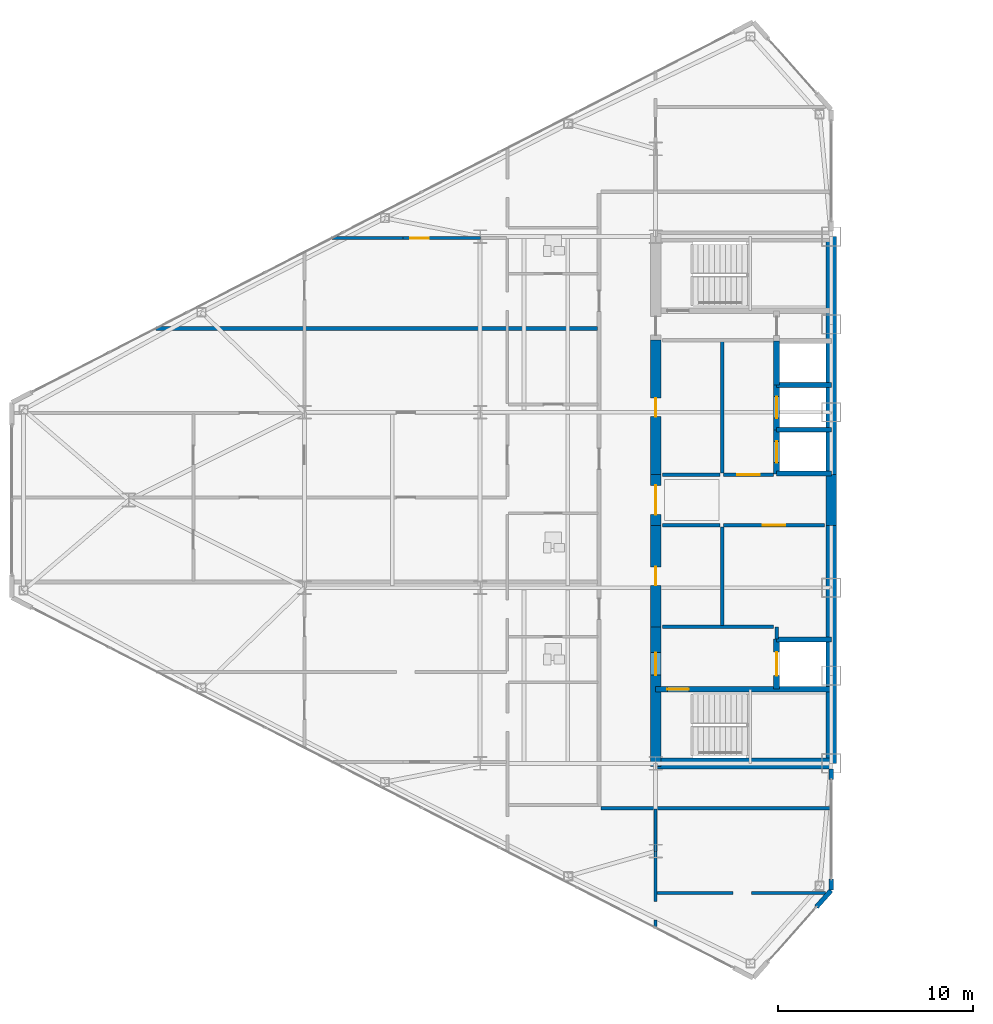
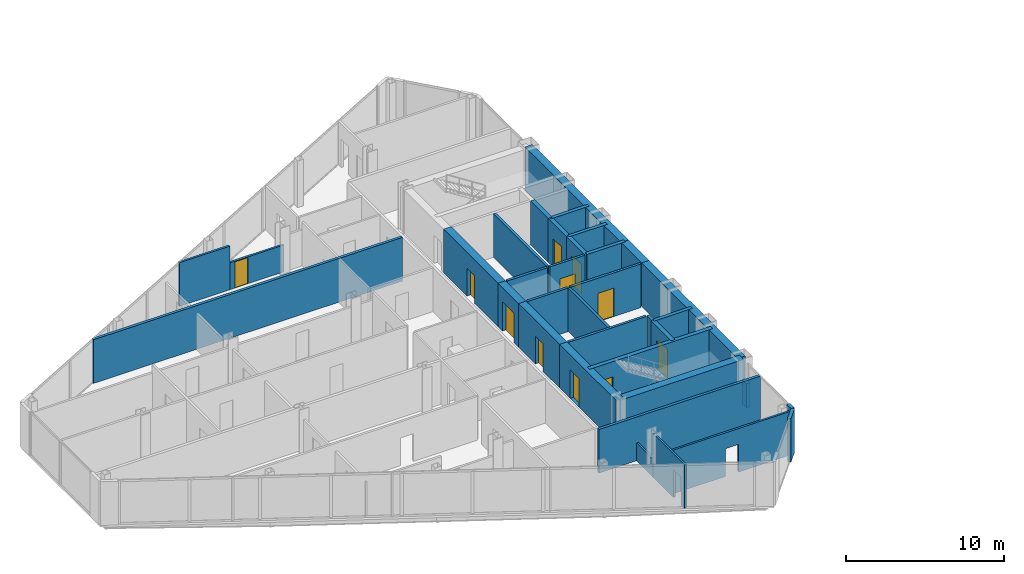
# One storey, part 16 of 23: 35 walls, 11 doors, 13 openings.
"""IFC4 building model written with IfcOpenShell, lengths in metres."""

import ifcopenshell
import ifcopenshell.guid

model = None  # the IFC model being written
_history = None  # IfcOwnerHistory: only IFC2X3 demands one
_inside = {}  # id of a spatial element -> (the spatial element, [elements in it])
_under = {}  # id of a project, library or spatial element -> (it, [spatial elements below it])
_declared = {}  # id of a project -> (the project, [libraries it declares])
_typed = {}  # id of a type object -> (the type object, [elements of that type])
_made_of = {}  # id of a material, layer set ... -> (it, [elements and type objects made of it])


def new_model(schema):
    """Start an empty IFC model of exactly this schema.

    Asked for "IFC4X3", IfcOpenShell would pick the latest addendum, in which some entities
    have other attributes; the version numbers below select the first issue.
    IFC2X3 requires an IfcOwnerHistory on every rooted entity: one is made here for all.
    """
    global model, _history
    if schema == "IFC4X3":
        model = ifcopenshell.file(schema_version=(4, 3, 0, 0))
    else:
        model = ifcopenshell.file(schema=schema)
    _inside.clear()
    _under.clear()
    _declared.clear()
    _typed.clear()
    _made_of.clear()
    _history = None
    if model.schema == "IFC2X3":
        org = make("IfcOrganization", Name="unknown")
        user = make(
            "IfcPersonAndOrganization",
            ThePerson=make("IfcPerson", FamilyName="unknown"),
            TheOrganization=org,
        )
        app = make(
            "IfcApplication",
            ApplicationDeveloper=org,
            Version="unknown",
            ApplicationFullName="unknown",
            ApplicationIdentifier="unknown",
        )
        _history = make(
            "IfcOwnerHistory",
            OwningUser=user,
            OwningApplication=app,
            ChangeAction="ADDED",
            CreationDate=0,
        )
    return model


def make(cls, **values):
    """One entity of the class cls with the attributes given. An attribute that is None is left unset."""
    return model.create_entity(
        cls, **{name: value for name, value in values.items() if value is not None}
    )


def rooted(cls, **values):
    """An entity with a GlobalId (a new one), such as an element, a storey or a relation."""
    return make(cls, GlobalId=ifcopenshell.guid.new(), OwnerHistory=_history, **values)


def si_unit(unit_type, name, prefix=None):
    """IfcSIUnit, for example si_unit("LENGTHUNIT", "METRE", prefix="MILLI")."""
    return make("IfcSIUnit", UnitType=unit_type, Prefix=prefix, Name=name)


def assignment(units):
    """IfcUnitAssignment: the units of a project."""
    return None if units is None else make("IfcUnitAssignment", Units=units)


def point(xyz):
    """IfcCartesianPoint."""
    return None if xyz is None else make("IfcCartesianPoint", Coordinates=xyz)


def direction(xyz):
    """IfcDirection."""
    return None if xyz is None else make("IfcDirection", DirectionRatios=xyz)


def frame(location, z_axis=None, x_axis=None):
    """IfcAxis2Placement3D, a coordinate frame: its origin and axes. An axis left out is left unset."""
    return make(
        "IfcAxis2Placement3D",
        Location=point(location),
        Axis=direction(z_axis),
        RefDirection=direction(x_axis),
    )


def frame_2d(location, x_axis=None):
    """IfcAxis2Placement2D, a coordinate frame in the plane: its origin and x axis."""
    return make(
        "IfcAxis2Placement2D", Location=point(location), RefDirection=direction(x_axis)
    )


def origin():
    """The frame at (0, 0, 0) with its axes left unset."""
    return frame((0.0, 0.0, 0.0))


def place(relative_to, where):
    """IfcLocalPlacement: puts the frame where relative to a parent placement (None: the world)."""
    return make(
        "IfcLocalPlacement", PlacementRelTo=relative_to, RelativePlacement=where
    )


def context(
    kind, dimensions, precision=None, world=None, true_north=None, identifier=None
):
    """IfcGeometricRepresentationContext, for example the 3D "Model" context."""
    return make(
        "IfcGeometricRepresentationContext",
        ContextIdentifier=identifier,
        ContextType=kind,
        CoordinateSpaceDimension=dimensions,
        Precision=precision,
        WorldCoordinateSystem=world,
        TrueNorth=true_north,
    )


def subcontext(parent, identifier, kind, view, scale=None):
    """IfcGeometricRepresentationSubContext, for example "Body" below "Model"."""
    return make(
        "IfcGeometricRepresentationSubContext",
        ContextIdentifier=identifier,
        ContextType=kind,
        ParentContext=parent,
        TargetScale=scale,
        TargetView=view,
    )


def project(units=None, contexts=None):
    """IfcProject with its units and contexts."""
    return rooted(
        "IfcProject",
        Name="project",
        RepresentationContexts=contexts,
        UnitsInContext=assignment(units),
    )


def spatial(cls, under=None, at=None, **own):
    """A site, building, storey or space (cls), placed at a placement, below another one or the project."""
    s = rooted(cls, ObjectPlacement=at, **own)
    if under is not None:
        _under.setdefault(under.id(), (under, []))[1].append(s)
    return s


def profile(cls, at=None, kind="AREA", **sizes):
    """A parametric profile (cls). Its sizes go by their IFC names, for example OverallWidth=200.0."""
    return make(cls, ProfileType=kind, Position=at, **sizes)


def rectangle(**sizes):
    """IfcRectangleProfileDef."""
    return profile("IfcRectangleProfileDef", **sizes)


def extrude(swept, where, along, depth):
    """IfcExtrudedAreaSolid: the profile swept, set in the frame where, extruded along a direction by depth."""
    return make(
        "IfcExtrudedAreaSolid",
        SweptArea=swept,
        Position=where,
        ExtrudedDirection=direction(along),
        Depth=depth,
    )


def shape(context_of_items, identifier, shape_type, items):
    """IfcShapeRepresentation: the items that make up one representation, for example the "Body"."""
    return make(
        "IfcShapeRepresentation",
        ContextOfItems=context_of_items,
        RepresentationIdentifier=identifier,
        RepresentationType=shape_type,
        Items=items,
    )


def source(mapping_origin, context_of_items, identifier, shape_type, items):
    """IfcRepresentationMap: a shape defined once, which mapped items show again and again."""
    return make(
        "IfcRepresentationMap",
        MappingOrigin=mapping_origin,
        MappedRepresentation=shape(context_of_items, identifier, shape_type, items),
    )


def transform(
    local_origin,
    x_axis=None,
    y_axis=None,
    z_axis=None,
    scale=None,
    scale2=None,
    scale3=None,
    uniform=True,
):
    """IfcCartesianTransformationOperator3D, or its non-uniform kind. x_axis, y_axis, z_axis: its Axis1, 2, 3."""
    if uniform:
        return make(
            "IfcCartesianTransformationOperator3D",
            Axis1=direction(x_axis),
            Axis2=direction(y_axis),
            LocalOrigin=point(local_origin),
            Scale=scale,
            Axis3=direction(z_axis),
        )
    return make(
        "IfcCartesianTransformationOperator3DnonUniform",
        Axis1=direction(x_axis),
        Axis2=direction(y_axis),
        LocalOrigin=point(local_origin),
        Scale=scale,
        Axis3=direction(z_axis),
        Scale2=scale2,
        Scale3=scale3,
    )


def mapped(mapping_source, mapping_target):
    """IfcMappedItem: shows the shape of a source again, moved by a transform."""
    return make(
        "IfcMappedItem", MappingSource=mapping_source, MappingTarget=mapping_target
    )


def material(Name=None, Category=None):
    """IfcMaterial."""
    return make("IfcMaterial", Name=Name, Category=Category)


def layer(
    of_material, thickness, ventilated=None, Name=None, Category=None, Priority=None
):
    """IfcMaterialLayer: one layer of a wall or slab, of a material (None: an air gap)."""
    return make(
        "IfcMaterialLayer",
        Material=of_material,
        LayerThickness=thickness,
        IsVentilated=ventilated,
        Name=Name,
        Category=Category,
        Priority=Priority,
    )


def layer_set(layers, Name=None):
    """IfcMaterialLayerSet."""
    return make("IfcMaterialLayerSet", MaterialLayers=layers, LayerSetName=Name)


def made_of(thing, what):
    """Note that an element or type object is made of a material, layer set ...; save() writes the relation."""
    if what is not None:
        _made_of.setdefault(what.id(), (what, []))[1].append(thing)
    return thing


def type_object(cls, material=None, **own):
    """A type object (cls), such as IfcWallType, which elements share."""
    return made_of(rooted(cls, **own), material)


def type_shapes(of_type, sources):
    """Give a type object the sources (RepresentationMaps) that its elements show as mapped items."""
    of_type.RepresentationMaps = sources


def element(
    cls,
    number,
    at=None,
    inside=None,
    cuts=None,
    type_object=None,
    material=None,
    context=None,
    identifier="Body",
    shape_type=None,
    held_by="IfcProductDefinitionShape",
    body=None,
    shapes=None,
    **own,
):
    """One element of the class cls, such as IfcWall. Its Tag is "e" and its number.

    at: its placement. inside: the storey or other place that contains it. cuts: it is an
    opening in that element (IfcRelVoidsElement). A single representation is given by context,
    identifier, shape_type and body (its items); several are given by shapes. held_by: the class
    of the entity that holds the representations. save() writes the other relations.
    """
    e = rooted(cls, Tag="e%d" % number, ObjectPlacement=at, **own)
    if body is not None:
        shapes = [shape(context, identifier, shape_type, body)]
    if shapes is not None:
        e.Representation = make(held_by, Representations=shapes)
    if inside is not None:
        _inside.setdefault(inside.id(), (inside, []))[1].append(e)
    if cuts is not None:
        rooted(
            "IfcRelVoidsElement", RelatingBuildingElement=cuts, RelatedOpeningElement=e
        )
    if type_object is not None:
        _typed.setdefault(type_object.id(), (type_object, []))[1].append(e)
    return made_of(e, material)


def fill(opening, filler):
    """IfcRelFillsElement: the door or window that sits in an opening."""
    return rooted(
        "IfcRelFillsElement",
        RelatingOpeningElement=opening,
        RelatedBuildingElement=filler,
    )


def aggregate(whole, parts):
    """IfcRelAggregates: a whole, such as a stair, and the parts it consists of."""
    return rooted("IfcRelAggregates", RelatingObject=whole, RelatedObjects=parts)


def save(model, path):
    """Write the relations noted so far, then the file.

    IfcRelAggregates (storeys below a building ...), IfcRelContainedInSpatialStructure (elements
    in a storey), IfcRelDefinesByType, IfcRelAssociatesMaterial and IfcRelDeclares: one each for
    every whole, place, type object, material and project.
    """
    for whole, parts in _under.values():
        aggregate(whole, parts)
    for where, things in _inside.values():
        rooted(
            "IfcRelContainedInSpatialStructure",
            RelatedElements=things,
            RelatingStructure=where,
        )
    for kind, things in _typed.values():
        rooted("IfcRelDefinesByType", RelatedObjects=things, RelatingType=kind)
    for what, things in _made_of.values():
        rooted("IfcRelAssociatesMaterial", RelatedObjects=things, RelatingMaterial=what)
    for by, libraries in _declared.values():
        rooted("IfcRelDeclares", RelatingContext=by, RelatedDefinitions=libraries)
    model.write(path)


model = new_model("IFC4")

# Units and contexts
model_context = context("Model", 3, precision=1e-05, world=origin(), true_north=direction((0.0, 1.0)))
body_context = subcontext(model_context, "Body", "Model", "MODEL_VIEW")
ifc_project = project(units=[si_unit("LENGTHUNIT", "METRE"), si_unit("AREAUNIT", "SQUARE_METRE"), si_unit("VOLUMEUNIT", "CUBIC_METRE"), si_unit("PLANEANGLEUNIT", "RADIAN"), si_unit("MASSUNIT", "GRAM", prefix="KILO")], contexts=[model_context])

# Site, building, storey
site_placement = place(None, origin())
site = spatial("IfcSite", under=ifc_project, at=site_placement, CompositionType="ELEMENT")
building_placement = place(site_placement, origin())
building = spatial("IfcBuilding", under=site, at=building_placement, Name="Seokmaru Belvedere", CompositionType="ELEMENT")
storey_placement = place(building_placement, frame((0.0, 0.0, 154.800048828125)))
storey = spatial("IfcBuildingStorey", under=building, at=storey_placement, Name="L41", CompositionType="ELEMENT", Elevation=154.800048828125)

# Wall, opening
ifc_material_1 = material(Name="Fire-Rated Gypsum Shaftwall")
ifc_layer_1 = layer(ifc_material_1, 0.14990234375)
ifc_layer_set_1 = layer_set([ifc_layer_1], Name="Fire-Rated Gypsum Shaftwall")
wall_type_1 = type_object("IfcWallType", Name="Apartment Fire-Acoustic Room Partition 150", PredefinedType="PARTITIONING", material=ifc_layer_set_1)
wall_1_placement = place(storey_placement, frame((-36.449951171875, -20.14990234375, 0.0), z_axis=(0.0, 0.0, 1.0), x_axis=(1.0, 0.0, 0.0)))
wall_1 = element("IfcWall", 1, at=wall_1_placement, inside=storey, type_object=wall_type_1, Name="L41 Interior Partition 001", PredefinedType="PARTITIONING", context=body_context, shape_type="SweptSolid", body=[
    extrude(rectangle(XDim=8.6494140625, YDim=0.14990234375, at=frame_2d((4.32470703125, 0.0))), origin(), (0.0, 0.0, 1.0), 3.3798828125),
])
opening_1_placement = place(wall_1_placement, frame((3.908447265625, 0.0, 0.0)))
element("IfcOpeningElement", 2, at=opening_1_placement, cuts=wall_1, Name="L41 Cased Opening 011", PredefinedType="OPENING", context=body_context, shape_type="SweptSolid", body=[
    extrude(rectangle(XDim=0.949951171875, YDim=2.14990234375, at=frame_2d((0.47509765625, 1.074951171875))), frame((0.0, 0.0849609375, 0.0), z_axis=(0.0, -1.0, 0.0), x_axis=(1.0, 0.0, 0.0)), (0.0, 0.0, 1.0), 0.169921875),
])

# Wall
wall_2_placement = place(storey_placement, frame((-53.132080078125, 13.419921875, 0.0), z_axis=(0.0, 0.0, 1.0), x_axis=(1.0, 0.0, 0.0)))
element("IfcWall", 3, at=wall_2_placement, inside=storey, type_object=wall_type_1, Name="L41 Interior Partition 030", PredefinedType="PARTITIONING", context=body_context, shape_type="SweptSolid", body=[
    extrude(rectangle(XDim=3.682373046875, YDim=0.14990234375, at=frame_2d((1.84130859375, 0.0))), origin(), (0.0, 0.0, 1.0), 3.3798828125),
])

# Wall, opening, door
wall_3_placement = place(storey_placement, frame((-49.44970703125, 13.419921875, 0.0), z_axis=(0.0, 0.0, 1.0), x_axis=(1.0, 0.0, 0.0)))
wall_3 = element("IfcWall", 4, at=wall_3_placement, inside=storey, type_object=wall_type_1, Name="L41 Interior Partition 030 Part 2", PredefinedType="PARTITIONING", context=body_context, shape_type="SweptSolid", body=[
    extrude(rectangle(XDim=3.984619140625, YDim=0.14990234375, at=frame_2d((1.9921875, 0.0))), origin(), (0.0, 0.0, 1.0), 2.079833984375),
])
opening_2_placement = place(wall_3_placement, frame((0.3759765625, 0.0, 0.0)))
opening_2 = element("IfcOpeningElement", 5, at=opening_2_placement, cuts=wall_3, Name="Opening D05", PredefinedType="OPENING", context=body_context, shape_type="SweptSolid", body=[
    extrude(rectangle(XDim=0.949951171875, YDim=2.030029296875, at=frame_2d((0.47509765625, 1.01513671875))), frame((0.0, 0.0849609375, 0.0), z_axis=(0.0, -1.0, 0.0), x_axis=(1.0, 0.0, 0.0)), (0.0, 0.0, 1.0), 0.169921875),
])
ifc_material_2 = material(Name="Engineered White Oak Timber", Category="wood")
door_type_1 = type_object("IfcDoorType", Name="Apartment Interior Fire-Rated Oak Door 950x2150", OperationType="NOTDEFINED", PredefinedType="DOOR", material=ifc_material_2)
shared_shape_1 = source(origin(), body_context, "Body", "SweptSolid", [
    extrude(rectangle(XDim=0.949951171875, YDim=2.030029296875, at=frame_2d((0.47509765625, 1.01513671875))), frame((0.0, 0.02490234375, 0.0), z_axis=(0.0, -1.0, 0.0), x_axis=(1.0, 0.0, 0.0)), (0.0, 0.0, 1.0), 0.050048828125),
])
type_shapes(door_type_1, [shared_shape_1])
door_1_placement = place(opening_2_placement, origin())
door_1 = element("IfcDoor", 6, at=door_1_placement, inside=storey, type_object=door_type_1, Name="L41 Interior Door 027", OperationType="SINGLE_SWING_LEFT", OverallHeight=2.030029296875, OverallWidth=0.949951171875, PredefinedType="DOOR", context=body_context, shape_type="MappedRepresentation", body=[
    mapped(shared_shape_1, transform((0.0, 0.0, 0.0), scale=1.0)),
])
fill(opening_2, door_1)

# Wall, opening
wall_4_placement = place(storey_placement, frame((-36.5, -21.968994140625, 0.0), z_axis=(0.0, 0.0, 1.0), x_axis=(0.0, 1.0, 0.0)))
wall_4 = element("IfcWall", 7, at=wall_4_placement, inside=storey, type_object=wall_type_1, Name="L41 Interior Partition 046", PredefinedType="PARTITIONING", context=body_context, shape_type="SweptSolid", body=[
    extrude(rectangle(XDim=3.948974609375, YDim=0.14990234375, at=frame_2d((1.974609375, 0.0))), origin(), (0.0, 0.0, 1.0), 3.3798828125),
])
opening_3_placement = place(wall_4_placement, frame((0.451904296875, 0.0, 0.0)))
element("IfcOpeningElement", 8, at=opening_3_placement, cuts=wall_4, Name="L41 Cased Opening 010", PredefinedType="OPENING", context=body_context, shape_type="SweptSolid", body=[
    extrude(rectangle(XDim=0.949951171875, YDim=2.14990234375, at=frame_2d((0.47509765625, 1.074951171875))), frame((0.0, 0.0849609375, 0.0), z_axis=(0.0, -1.0, 0.0), x_axis=(1.0, 0.0, 0.0)), (0.0, 0.0, 1.0), 0.169921875),
])

# Walls
wall_5_placement = place(storey_placement, frame((-36.5, -18.02001953125, 0.0), z_axis=(0.0, 0.0, 1.0), x_axis=(0.0, 1.0, 0.0)))
element("IfcWall", 9, at=wall_5_placement, inside=storey, type_object=wall_type_1, Name="L41 Interior Partition 046 Part 2", PredefinedType="PARTITIONING", context=body_context, shape_type="SweptSolid", body=[
    extrude(rectangle(XDim=2.169921875, YDim=0.14990234375, at=frame_2d((1.0849609375, 0.0))), origin(), (0.0, 0.0, 1.0), 1.3798828125),
])
ifc_layer_2 = layer(ifc_material_1, 0.179931640625)
ifc_layer_set_2 = layer_set([ifc_layer_2], Name="Fire-Rated Gypsum Shaftwall")
wall_type_2 = type_object("IfcWallType", Name="Core Service Fire Partition 180", PredefinedType="PARTITIONING", material=ifc_layer_set_2)
wall_6_placement = place(storey_placement, frame((-36.14990234375, -6.5, 0.0), z_axis=(0.0, 0.0, 1.0), x_axis=(1.0, 0.0, 0.0)))
element("IfcWall", 10, at=wall_6_placement, inside=storey, type_object=wall_type_2, Name="L41 West Firefighting Lobby Partition", PredefinedType="PARTITIONING", context=body_context, shape_type="SweptSolid", body=[
    extrude(rectangle(XDim=5.699951171875, YDim=0.179931640625, at=frame_2d((2.85009765625, 0.0))), origin(), (0.0, 0.0, 1.0), 3.3798828125),
])
wall_7_placement = place(storey_placement, frame((-30.300048828125, -7.1201171875, 0.0), z_axis=(0.0, 0.0, 1.0), x_axis=(0.0, 1.0, 0.0)))
element("IfcWall", 11, at=wall_7_placement, inside=storey, type_object=wall_type_2, Name="L41 West Firefighting Lobby East Closure Wall", PredefinedType="PARTITIONING", context=body_context, shape_type="SweptSolid", body=[
    extrude(rectangle(XDim=0.6201171875, YDim=0.179931640625, at=frame_2d((0.31005859375, 0.0))), origin(), (0.0, 0.0, 1.0), 3.3798828125),
])
wall_8_placement = place(storey_placement, frame((-33.10009765625, -6.419921875, 0.0), z_axis=(0.0, 0.0, 1.0), x_axis=(0.0, 1.0, 0.0)))
element("IfcWall", 12, at=wall_8_placement, inside=storey, type_object=wall_type_2, Name="L41 West South Core Service Back Wall", PredefinedType="PARTITIONING", context=body_context, shape_type="SweptSolid", body=[
    extrude(rectangle(XDim=5.0400390625, YDim=0.179931640625, at=frame_2d((2.52001953125, 0.0))), origin(), (0.0, 0.0, 1.0), 3.3798828125),
])
wall_9_placement = place(storey_placement, frame((-33.10009765625, 1.3798828125, 0.0), z_axis=(0.0, 0.0, 1.0), x_axis=(0.0, 1.0, 0.0)))
element("IfcWall", 13, at=wall_9_placement, inside=storey, type_object=wall_type_2, Name="L41 West North Core Service Back Wall", PredefinedType="PARTITIONING", context=body_context, shape_type="SweptSolid", body=[
    extrude(rectangle(XDim=6.740234375, YDim=0.179931640625, at=frame_2d((3.3701171875, 0.0))), origin(), (0.0, 0.0, 1.0), 3.3798828125),
])

# Wall, opening, door
wall_10_placement = place(storey_placement, frame((-33.02001953125, -1.300048828125, 0.0), z_axis=(0.0, 0.0, 1.0), x_axis=(1.0, 0.0, 0.0)))
wall_10 = element("IfcWall", 14, at=wall_10_placement, inside=storey, type_object=wall_type_2, Name="L41 West South Lift Lobby Foyer Wall", PredefinedType="PARTITIONING", context=body_context, shape_type="SweptSolid", body=[
    extrude(rectangle(XDim=5.169921875, YDim=0.179931640625, at=frame_2d((2.5849609375, 0.0))), origin(), (0.0, 0.0, 1.0), 3.3798828125),
])
opening_4_placement = place(wall_10_placement, frame((2.010009765625, 0.0, 0.0)))
opening_4 = element("IfcOpeningElement", 15, at=opening_4_placement, cuts=wall_10, Name="Opening D02", PredefinedType="OPENING", context=body_context, shape_type="SweptSolid", body=[
    extrude(rectangle(XDim=1.14990234375, YDim=2.199951171875, at=frame_2d((0.574951171875, 1.10009765625))), frame((0.0, 0.10009765625, 0.0), z_axis=(0.0, -1.0, 0.0), x_axis=(1.0, 0.0, 0.0)), (0.0, 0.0, 1.0), 0.199951171875),
])
ifc_material_3 = material(Name="Fire-Rated Steel Leaf", Category="steel")
door_type_2 = type_object("IfcDoorType", Name="Lobby and Vestibule Fire Door 1150x2200", OperationType="NOTDEFINED", PredefinedType="DOOR", material=ifc_material_3)
shared_shape_2 = source(origin(), body_context, "Body", "SweptSolid", [
    extrude(rectangle(XDim=1.14990234375, YDim=2.199951171875, at=frame_2d((0.574951171875, 1.10009765625))), frame((0.0, 0.02490234375, 0.0), z_axis=(0.0, -1.0, 0.0), x_axis=(1.0, 0.0, 0.0)), (0.0, 0.0, 1.0), 0.050048828125),
])
type_shapes(door_type_2, [shared_shape_2])
door_2_placement = place(opening_4_placement, origin())
door_2 = element("IfcDoor", 16, at=door_2_placement, inside=storey, type_object=door_type_2, Name="L41 West South Core Foyer Door", OperationType="SINGLE_SWING_LEFT", OverallHeight=2.199951171875, OverallWidth=1.14990234375, PredefinedType="DOOR", context=body_context, shape_type="MappedRepresentation", body=[
    mapped(shared_shape_2, transform((0.0, 0.0, 0.0), scale=1.0)),
])
fill(opening_4, door_2)

wall_11_placement = place(storey_placement, frame((-33.02001953125, 1.300048828125, 0.0), z_axis=(0.0, 0.0, 1.0), x_axis=(1.0, 0.0, 0.0)))
wall_11 = element("IfcWall", 17, at=wall_11_placement, inside=storey, type_object=wall_type_2, Name="L41 West North Lift Lobby Foyer Wall", PredefinedType="PARTITIONING", context=body_context, shape_type="SweptSolid", body=[
    extrude(rectangle(XDim=2.570068359375, YDim=0.179931640625, at=frame_2d((1.28515625, 0.0))), origin(), (0.0, 0.0, 1.0), 3.3798828125),
])
opening_5_placement = place(wall_11_placement, frame((0.7099609375, 0.0, 0.0)))
opening_5 = element("IfcOpeningElement", 18, at=opening_5_placement, cuts=wall_11, Name="Opening D02", PredefinedType="OPENING", context=body_context, shape_type="SweptSolid", body=[
    extrude(rectangle(XDim=1.14990234375, YDim=2.199951171875, at=frame_2d((0.574951171875, 1.10009765625))), frame((0.0, 0.10009765625, 0.0), z_axis=(0.0, -1.0, 0.0), x_axis=(1.0, 0.0, 0.0)), (0.0, 0.0, 1.0), 0.199951171875),
])
door_3_placement = place(opening_5_placement, origin())
door_3 = element("IfcDoor", 19, at=door_3_placement, inside=storey, type_object=door_type_2, Name="L41 West North Lift Lobby Door", OperationType="SINGLE_SWING_RIGHT", OverallHeight=2.199951171875, OverallWidth=1.14990234375, PredefinedType="DOOR", context=body_context, shape_type="MappedRepresentation", body=[
    mapped(shared_shape_2, transform((0.0, 0.0, 0.0), scale=1.0)),
])
fill(opening_5, door_3)

# Walls
for number, where, z_axis, x_axis, name in (
    (20, (-36.14990234375, -1.300048828125, 0.0), (0.0, 0.0, 1.0), (1.0, 0.0, 0.0), "L41 West Foyer Side Wall S"),
    (21, (-36.14990234375, 1.300048828125, 0.0), (0.0, 0.0, 1.0), (1.0, 0.0, 0.0), "L41 West Foyer Side Wall N"),
):
    element("IfcWall", number, at=place(storey_placement, frame(where, z_axis=z_axis, x_axis=x_axis)), inside=storey, type_object=wall_type_2, Name=name, PredefinedType="PARTITIONING", context=body_context, shape_type="SweptSolid", body=[
        extrude(rectangle(XDim=2.949951171875, YDim=0.179931640625, at=frame_2d((1.47509765625, 0.0))), origin(), (0.0, 0.0, 1.0), 3.3798828125),
    ])
ifc_material_4 = material(Name="Concrete C50 (50 MPa)", Category="concrete")
ifc_layer_3 = layer(ifc_material_4, 0.25)
ifc_layer_set_3 = layer_set([ifc_layer_3], Name="Concrete C50 (50 MPa)")
wall_type_3 = type_object("IfcWallType", Name="Hoistway Transverse Concrete Divider Wall 250", PredefinedType="SHEAR", material=ifc_layer_set_3)
for number, where, z_axis, x_axis, name in (
    (22, (-30.300048828125, -7.14990234375, 0.0), (0.0, 0.0, 1.0), (1.0, 0.0, 0.0), "L41 West Hoistway Divider Core Wall 1"),
    (23, (-30.300048828125, 1.35009765625, 0.0), (0.0, 0.0, 1.0), (1.0, 0.0, 0.0), "L41 West Hoistway Divider Core Wall 2"),
    (24, (-30.300048828125, 3.60009765625, 0.0), (0.0, 0.0, 1.0), (1.0, 0.0, 0.0), "L41 West Hoistway Divider Core Wall 3"),
    (25, (-30.300048828125, 5.89990234375, 0.0), (0.0, 0.0, 1.0), (1.0, 0.0, 0.0), "L41 West Hoistway Divider Core Wall 4"),
):
    element("IfcWall", number, at=place(storey_placement, frame(where, z_axis=z_axis, x_axis=x_axis)), inside=storey, type_object=wall_type_3, Name=name, PredefinedType="SHEAR", context=body_context, shape_type="SweptSolid", body=[
        extrude(rectangle(XDim=2.800048828125, YDim=0.25, at=frame_2d((1.39990234375, 0.0))), origin(), (0.0, 0.0, 1.0), 3.3798828125),
    ])
ifc_layer_4 = layer(ifc_material_1, 0.199951171875)
ifc_layer_set_4 = layer_set([ifc_layer_4], Name="Fire-Rated Gypsum Shaftwall")
wall_type_4 = type_object("IfcWallType", Name="Inter-Tenancy Fire Compartment Partition 200", PredefinedType="PARTITIONING", material=ifc_layer_set_4)
wall_12_placement = place(storey_placement, frame((-39.31494140625, -15.800048828125, 0.0), z_axis=(0.0, 0.0, 1.0), x_axis=(1.0, 0.0, 0.0)))
element("IfcWall", 26, at=wall_12_placement, inside=storey, type_object=wall_type_4, Name="L41 Interior Partition 004", PredefinedType="PARTITIONING", context=body_context, shape_type="SweptSolid", body=[
    extrude(rectangle(XDim=11.81494140625, YDim=0.199951171875, at=frame_2d((5.907470703125, 0.0))), origin(), (0.0, 0.0, 1.0), 3.3798828125),
])
wall_13_placement = place(storey_placement, frame((-62.10595703125, 8.800048828125, 0.0), z_axis=(0.0, 0.0, 1.0), x_axis=(1.0, 0.0, 0.0)))
element("IfcWall", 27, at=wall_13_placement, inside=storey, type_object=wall_type_4, Name="L41 Interior Partition 026", PredefinedType="PARTITIONING", context=body_context, shape_type="SweptSolid", body=[
    extrude(rectangle(XDim=22.6259765625, YDim=0.199951171875, at=frame_2d((11.31298828125, 0.0))), origin(), (0.0, 0.0, 1.0), 3.3798828125),
])

# Wall, opening, door
ifc_layer_5 = layer(ifc_material_4, 0.300048828125)
ifc_layer_set_5 = layer_set([ifc_layer_5], Name="Concrete C50 (50 MPa)")
wall_type_5 = type_object("IfcWallType", Name="Internal Core Stair and Hoistway Wall 300", PredefinedType="SHEAR", material=ifc_layer_set_5)
wall_14_placement = place(storey_placement, frame((-36.5, -9.699951171875, 0.0), z_axis=(0.0, 0.0, 1.0), x_axis=(1.0, 0.0, 0.0)))
wall_14 = element("IfcWall", 28, at=wall_14_placement, inside=storey, type_object=wall_type_5, Name="L41 West Stair ST-1 Enclosure Wall", PredefinedType="SHEAR", context=body_context, shape_type="SweptSolid", body=[
    extrude(rectangle(XDim=9.0, YDim=0.300048828125, at=frame_2d((4.5, 0.0))), origin(), (0.0, 0.0, 1.0), 3.3798828125),
])
opening_6_placement = place(wall_14_placement, frame((0.60009765625, 0.0, 0.0)))
opening_6 = element("IfcOpeningElement", 29, at=opening_6_placement, cuts=wall_14, Name="Opening D01", PredefinedType="OPENING", context=body_context, shape_type="SweptSolid", body=[
    extrude(rectangle(XDim=1.10009765625, YDim=2.199951171875, at=frame_2d((0.550048828125, 1.10009765625))), frame((0.0, 0.16015625, 0.0), z_axis=(0.0, -1.0, 0.0), x_axis=(1.0, 0.0, 0.0)), (0.0, 0.0, 1.0), 0.320068359375),
])
door_type_3 = type_object("IfcDoorType", Name="Special Escape Stair Smokeproof Fire Door 1100x2200", OperationType="NOTDEFINED", PredefinedType="DOOR", material=ifc_material_3)
shared_shape_3 = source(origin(), body_context, "Body", "SweptSolid", [
    extrude(rectangle(XDim=1.10009765625, YDim=2.199951171875, at=frame_2d((0.550048828125, 1.10009765625))), frame((0.0, 0.02490234375, 0.0), z_axis=(0.0, -1.0, 0.0), x_axis=(1.0, 0.0, 0.0)), (0.0, 0.0, 1.0), 0.050048828125),
])
type_shapes(door_type_3, [shared_shape_3])
door_4_placement = place(opening_6_placement, frame((1.10009765625, 0.0, 0.0), z_axis=(0.0, 0.0, 1.0), x_axis=(-1.0, 0.0, 0.0)))
door_4 = element("IfcDoor", 30, at=door_4_placement, inside=storey, type_object=door_type_3, Name="L41 West Special Escape Stair ST-1 Door", OperationType="SINGLE_SWING_LEFT", OverallHeight=2.199951171875, OverallWidth=1.10009765625, PredefinedType="DOOR", context=body_context, shape_type="MappedRepresentation", body=[
    mapped(shared_shape_3, transform((0.0, 0.0, 0.0), scale=1.0)),
])
fill(opening_6, door_4)

wall_15_placement = place(storey_placement, frame((-30.300048828125, -9.679931640625, 0.0), z_axis=(0.0, 0.0, 1.0), x_axis=(0.0, 1.0, 0.0)))
wall_15 = element("IfcWall", 31, at=wall_15_placement, inside=storey, type_object=wall_type_5, Name="L41 West Firefighting Lift Shaft Front Wall", PredefinedType="SHEAR", context=body_context, shape_type="SweptSolid", body=[
    extrude(rectangle(XDim=2.559814453125, YDim=0.300048828125, at=frame_2d((1.27978515625, 0.0))), origin(), (0.0, 0.0, 1.0), 3.3798828125),
])
opening_7_placement = place(wall_15_placement, frame((0.679931640625, 0.0, 0.0)))
opening_7 = element("IfcOpeningElement", 32, at=opening_7_placement, cuts=wall_15, Name="Opening LD2", PredefinedType="OPENING", context=body_context, shape_type="SweptSolid", body=[
    extrude(rectangle(XDim=1.199951171875, YDim=2.25, at=frame_2d((0.60009765625, 1.125))), frame((0.0, 0.16015625, 0.0), z_axis=(0.0, -1.0, 0.0), x_axis=(1.0, 0.0, 0.0)), (0.0, 0.0, 1.0), 0.320068359375),
])
ifc_material_5 = material(Name="Stainless Steel 316", Category="steel")
door_type_4 = type_object("IfcDoorType", Name="Firefighting Lift Sliding Landing Door 1200x2250", OperationType="DOUBLE_DOOR_SLIDING", PredefinedType="DOOR", material=ifc_material_5)
shared_shape_4 = source(origin(), body_context, "Body", "SweptSolid", [
    extrude(rectangle(XDim=1.199951171875, YDim=2.25, at=frame_2d((0.60009765625, 1.125))), frame((0.0, 0.02490234375, 0.0), z_axis=(0.0, -1.0, 0.0), x_axis=(1.0, 0.0, 0.0)), (0.0, 0.0, 1.0), 0.050048828125),
])
type_shapes(door_type_4, [shared_shape_4])
door_5_placement = place(opening_7_placement, origin())
door_5 = element("IfcDoor", 33, at=door_5_placement, inside=storey, type_object=door_type_4, Name="L41 West Firefighting Lift Landing Door", OperationType="DOUBLE_DOOR_SLIDING", OverallHeight=2.25, OverallWidth=1.199951171875, PredefinedType="DOOR", context=body_context, shape_type="MappedRepresentation", body=[
    mapped(shared_shape_4, transform((0.0, 0.0, 0.0), scale=1.0)),
])
fill(opening_7, door_5)

wall_16_placement = place(storey_placement, frame((-30.300048828125, 1.320068359375, 0.0), z_axis=(0.0, 0.0, 1.0), x_axis=(0.0, 1.0, 0.0)))
wall_16 = element("IfcWall", 34, at=wall_16_placement, inside=storey, type_object=wall_type_5, Name="L41 West North Hoistway Wall PH1", PredefinedType="SHEAR", context=body_context, shape_type="SweptSolid", body=[
    extrude(rectangle(XDim=2.280029296875, YDim=0.300048828125, at=frame_2d((1.14013671875, 0.0))), origin(), (0.0, 0.0, 1.0), 3.3798828125),
])
opening_8_placement = place(wall_16_placement, frame((0.590087890625, 0.0, 0.0)))
opening_8 = element("IfcOpeningElement", 35, at=opening_8_placement, cuts=wall_16, Name="Opening LD1", PredefinedType="OPENING", context=body_context, shape_type="SweptSolid", body=[
    extrude(rectangle(XDim=1.10009765625, YDim=2.199951171875, at=frame_2d((0.550048828125, 1.10009765625))), frame((0.0, 0.16015625, 0.0), z_axis=(0.0, -1.0, 0.0), x_axis=(1.0, 0.0, 0.0)), (0.0, 0.0, 1.0), 0.320068359375),
])
door_type_5 = type_object("IfcDoorType", Name="Passenger Lift Sliding Landing Door 1100x2200", OperationType="DOUBLE_DOOR_SLIDING", PredefinedType="DOOR", material=ifc_material_5)
shared_shape_5 = source(origin(), body_context, "Body", "SweptSolid", [
    extrude(rectangle(XDim=1.10009765625, YDim=2.199951171875, at=frame_2d((0.550048828125, 1.10009765625))), frame((0.0, 0.02490234375, 0.0), z_axis=(0.0, -1.0, 0.0), x_axis=(1.0, 0.0, 0.0)), (0.0, 0.0, 1.0), 0.050048828125),
])
type_shapes(door_type_5, [shared_shape_5])
door_6_placement = place(opening_8_placement, origin())
door_6 = element("IfcDoor", 36, at=door_6_placement, inside=storey, type_object=door_type_5, Name="L41 West High-Rise Lift PH-1 Landing Door", OperationType="DOUBLE_DOOR_SLIDING", OverallHeight=2.199951171875, OverallWidth=1.10009765625, PredefinedType="DOOR", context=body_context, shape_type="MappedRepresentation", body=[
    mapped(shared_shape_5, transform((0.0, 0.0, 0.0), scale=1.0)),
])
fill(opening_8, door_6)

wall_17_placement = place(storey_placement, frame((-30.300048828125, 3.60009765625, 0.0), z_axis=(0.0, 0.0, 1.0), x_axis=(0.0, 1.0, 0.0)))
wall_17 = element("IfcWall", 37, at=wall_17_placement, inside=storey, type_object=wall_type_5, Name="L41 West North Hoistway Wall PH2", PredefinedType="SHEAR", context=body_context, shape_type="SweptSolid", body=[
    extrude(rectangle(XDim=2.2998046875, YDim=0.300048828125, at=frame_2d((1.14990234375, 0.0))), origin(), (0.0, 0.0, 1.0), 3.3798828125),
])
opening_9_placement = place(wall_17_placement, frame((0.60009765625, 0.0, 0.0)))
opening_9 = element("IfcOpeningElement", 38, at=opening_9_placement, cuts=wall_17, Name="Opening LD1", PredefinedType="OPENING", context=body_context, shape_type="SweptSolid", body=[
    extrude(rectangle(XDim=1.10009765625, YDim=2.199951171875, at=frame_2d((0.550048828125, 1.10009765625))), frame((0.0, 0.16015625, 0.0), z_axis=(0.0, -1.0, 0.0), x_axis=(1.0, 0.0, 0.0)), (0.0, 0.0, 1.0), 0.320068359375),
])
door_7_placement = place(opening_9_placement, origin())
door_7 = element("IfcDoor", 39, at=door_7_placement, inside=storey, type_object=door_type_5, Name="L41 West High-Rise Lift PH-2 Landing Door", OperationType="DOUBLE_DOOR_SLIDING", OverallHeight=2.199951171875, OverallWidth=1.10009765625, PredefinedType="DOOR", context=body_context, shape_type="MappedRepresentation", body=[
    mapped(shared_shape_5, transform((0.0, 0.0, 0.0), scale=1.0)),
])
fill(opening_9, door_7)

# Walls
wall_18_placement = place(storey_placement, frame((-30.300048828125, 5.89990234375, 0.0), z_axis=(0.0, 0.0, 1.0), x_axis=(0.0, 1.0, 0.0)))
element("IfcWall", 40, at=wall_18_placement, inside=storey, type_object=wall_type_5, Name="L41 West North Hoistway Wall OBS", PredefinedType="SHEAR", context=body_context, shape_type="SweptSolid", body=[
    extrude(rectangle(XDim=2.25, YDim=0.300048828125, at=frame_2d((1.125, 0.0))), origin(), (0.0, 0.0, 1.0), 3.3798828125),
])
ifc_layer_6 = layer(ifc_material_4, 0.550048828125)
ifc_layer_set_6 = layer_set([ifc_layer_6], Name="Concrete C50 (50 MPa)")
wall_type_6 = type_object("IfcWallType", Name="Mid-High Reinforced Concrete Core Wall 550", PredefinedType="SHEAR", material=ifc_layer_set_6)
for number, where, z_axis, x_axis, name in (
    (41, (-27.5, -13.5, 0.0), (0.0, 0.0, 1.0), (0.0, 1.0, 0.0), "L41 West Portal Spine Core Wall South"),
    (42, (-27.5, 1.300048828125, 0.0), (0.0, 0.0, 1.0), (0.0, 1.0, 0.0), "L41 West Portal Spine Core Wall North"),
):
    element("IfcWall", number, at=place(storey_placement, frame(where, z_axis=z_axis, x_axis=x_axis)), inside=storey, type_object=wall_type_6, Name=name, PredefinedType="SHEAR", context=body_context, shape_type="SweptSolid", body=[
        extrude(rectangle(XDim=12.199951171875, YDim=0.550048828125, at=frame_2d((6.10009765625, 0.0))), origin(), (0.0, 0.0, 1.0), 3.3798828125),
    ])
wall_19_placement = place(storey_placement, frame((-27.5, -1.300048828125, 0.0), z_axis=(0.0, 0.0, 1.0), x_axis=(0.0, 1.0, 0.0)))
element("IfcWall", 43, at=wall_19_placement, inside=storey, type_object=wall_type_6, Name="L41 West Portal Spine Core Wall Center", PredefinedType="SHEAR", context=body_context, shape_type="SweptSolid", body=[
    extrude(rectangle(XDim=2.60009765625, YDim=0.550048828125, at=frame_2d((1.300048828125, 0.0))), origin(), (0.0, 0.0, 1.0), 3.3798828125),
])
wall_20_placement = place(storey_placement, frame((-36.5, -13.5, 0.0), z_axis=(0.0, 0.0, 1.0), x_axis=(1.0, 0.0, 0.0)))
element("IfcWall", 44, at=wall_20_placement, inside=storey, type_object=wall_type_6, Name="L41 West South Core Wall", PredefinedType="SHEAR", context=body_context, shape_type="SweptSolid", body=[
    extrude(rectangle(XDim=9.0, YDim=0.550048828125, at=frame_2d((4.5, 0.0))), origin(), (0.0, 0.0, 1.0), 3.3798828125),
])

# Wall, opening, door
wall_21_placement = place(storey_placement, frame((-36.5, -13.64990234375, 0.0), z_axis=(0.0, 0.0, 1.0), x_axis=(0.0, 1.0, 0.0)))
wall_21 = element("IfcWall", 45, at=wall_21_placement, inside=storey, type_object=wall_type_6, Name="L41 West West Core Wall FF", PredefinedType="SHEAR", context=body_context, shape_type="SweptSolid", body=[
    extrude(rectangle(XDim=7.14990234375, YDim=0.550048828125, at=frame_2d((3.574951171875, 0.0))), origin(), (0.0, 0.0, 1.0), 3.3798828125),
])
opening_10_placement = place(wall_21_placement, frame((4.675048828125, 0.0, 0.0)))
opening_10 = element("IfcOpeningElement", 46, at=opening_10_placement, cuts=wall_21, Name="Opening D02", PredefinedType="OPENING", context=body_context, shape_type="SweptSolid", body=[
    extrude(rectangle(XDim=1.14990234375, YDim=2.199951171875, at=frame_2d((0.574951171875, 1.10009765625))), frame((0.0, 0.28515625, 0.0), z_axis=(0.0, -1.0, 0.0), x_axis=(1.0, 0.0, 0.0)), (0.0, 0.0, 1.0), 0.570068359375),
])
door_8_placement = place(opening_10_placement, frame((1.14990234375, 0.0, 0.0), z_axis=(0.0, 0.0, 1.0), x_axis=(-1.0, 0.0, 0.0)))
door_8 = element("IfcDoor", 47, at=door_8_placement, inside=storey, type_object=door_type_2, Name="L41 West Firefighting Lobby Door", OperationType="SINGLE_SWING_LEFT", OverallHeight=2.199951171875, OverallWidth=1.14990234375, PredefinedType="DOOR", context=body_context, shape_type="MappedRepresentation", body=[
    mapped(shared_shape_2, transform((0.0, 0.0, 0.0), scale=1.0)),
])
fill(opening_10, door_8)

wall_22_placement = place(storey_placement, frame((-36.5, -1.300048828125, 0.0), z_axis=(0.0, 0.0, 1.0), x_axis=(0.0, 1.0, 0.0)))
wall_22 = element("IfcWall", 48, at=wall_22_placement, inside=storey, type_object=wall_type_6, Name="L41 West West Core Wall FOY", PredefinedType="SHEAR", context=body_context, shape_type="SweptSolid", body=[
    extrude(rectangle(XDim=2.60009765625, YDim=0.550048828125, at=frame_2d((1.300048828125, 0.0))), origin(), (0.0, 0.0, 1.0), 3.3798828125),
])
opening_11_placement = place(wall_22_placement, frame((0.550048828125, 0.0, 0.0)))
opening_11 = element("IfcOpeningElement", 49, at=opening_11_placement, cuts=wall_22, Name="Opening D08", PredefinedType="OPENING", context=body_context, shape_type="SweptSolid", body=[
    extrude(rectangle(XDim=1.5, YDim=2.300048828125, at=frame_2d((0.75, 1.14990234375))), frame((0.0, 0.28515625, 0.0), z_axis=(0.0, -1.0, 0.0), x_axis=(1.0, 0.0, 0.0)), (0.0, 0.0, 1.0), 0.570068359375),
])
door_type_6 = type_object("IfcDoorType", Name="Cross-Corridor Compartment Double Fire Door 1500x2300", OperationType="DOUBLE_SWING_LEFT", PredefinedType="DOOR", material=ifc_material_3)
shared_shape_6 = source(origin(), body_context, "Body", "SweptSolid", [
    extrude(rectangle(XDim=1.5, YDim=2.300048828125, at=frame_2d((0.75, 1.14990234375))), frame((0.0, 0.02490234375, 0.0), z_axis=(0.0, -1.0, 0.0), x_axis=(1.0, 0.0, 0.0)), (0.0, 0.0, 1.0), 0.050048828125),
])
type_shapes(door_type_6, [shared_shape_6])
door_9_placement = place(opening_11_placement, origin())
door_9 = element("IfcDoor", 50, at=door_9_placement, inside=storey, type_object=door_type_6, Name="L41 West Core Foyer Compartment Door", OperationType="DOUBLE_SWING_LEFT", OverallHeight=2.300048828125, OverallWidth=1.5, PredefinedType="DOOR", context=body_context, shape_type="MappedRepresentation", body=[
    mapped(shared_shape_6, transform((0.0, 0.0, 0.0), scale=1.0)),
])
fill(opening_11, door_9)

wall_23_placement = place(storey_placement, frame((-36.5, -6.5, 0.0), z_axis=(0.0, 0.0, 1.0), x_axis=(0.0, 1.0, 0.0)))
wall_23 = element("IfcWall", 51, at=wall_23_placement, inside=storey, type_object=wall_type_6, Name="L41 West West Core Wall CS1", PredefinedType="SHEAR", context=body_context, shape_type="SweptSolid", body=[
    extrude(rectangle(XDim=5.199951171875, YDim=0.550048828125, at=frame_2d((2.60009765625, 0.0))), origin(), (0.0, 0.0, 1.0), 3.3798828125),
])
opening_12_placement = place(wall_23_placement, frame((2.125, 0.0, 0.0)))
opening_12 = element("IfcOpeningElement", 52, at=opening_12_placement, cuts=wall_23, Name="Opening D04", PredefinedType="OPENING", context=body_context, shape_type="SweptSolid", body=[
    extrude(rectangle(XDim=0.949951171875, YDim=2.14990234375, at=frame_2d((0.47509765625, 1.074951171875))), frame((0.0, 0.28515625, 0.0), z_axis=(0.0, -1.0, 0.0), x_axis=(1.0, 0.0, 0.0)), (0.0, 0.0, 1.0), 0.570068359375),
])
door_type_7 = type_object("IfcDoorType", Name="Core Service Room Fire Door 950x2150", OperationType="NOTDEFINED", PredefinedType="DOOR", material=ifc_material_3)
shared_shape_7 = source(origin(), body_context, "Body", "SweptSolid", [
    extrude(rectangle(XDim=0.949951171875, YDim=2.14990234375, at=frame_2d((0.47509765625, 1.074951171875))), frame((0.0, 0.02490234375, 0.0), z_axis=(0.0, -1.0, 0.0), x_axis=(1.0, 0.0, 0.0)), (0.0, 0.0, 1.0), 0.050048828125),
])
type_shapes(door_type_7, [shared_shape_7])
door_10_placement = place(opening_12_placement, origin())
door_10 = element("IfcDoor", 53, at=door_10_placement, inside=storey, type_object=door_type_7, Name="L41 West Core Service Room Door 1", OperationType="SINGLE_SWING_LEFT", OverallHeight=2.14990234375, OverallWidth=0.949951171875, PredefinedType="DOOR", context=body_context, shape_type="MappedRepresentation", body=[
    mapped(shared_shape_7, transform((0.0, 0.0, 0.0), scale=1.0)),
])
fill(opening_12, door_10)

wall_24_placement = place(storey_placement, frame((-36.5, 1.300048828125, 0.0), z_axis=(0.0, 0.0, 1.0), x_axis=(0.0, 1.0, 0.0)))
wall_24 = element("IfcWall", 54, at=wall_24_placement, inside=storey, type_object=wall_type_6, Name="L41 West West Core Wall CS2", PredefinedType="SHEAR", context=body_context, shape_type="SweptSolid", body=[
    extrude(rectangle(XDim=6.89990234375, YDim=0.550048828125, at=frame_2d((3.449951171875, 0.0))), origin(), (0.0, 0.0, 1.0), 3.3798828125),
])
opening_13_placement = place(wall_24_placement, frame((2.97509765625, 0.0, 0.0)))
opening_13 = element("IfcOpeningElement", 55, at=opening_13_placement, cuts=wall_24, Name="Opening D04", PredefinedType="OPENING", context=body_context, shape_type="SweptSolid", body=[
    extrude(rectangle(XDim=0.949951171875, YDim=2.14990234375, at=frame_2d((0.47509765625, 1.074951171875))), frame((0.0, 0.28515625, 0.0), z_axis=(0.0, -1.0, 0.0), x_axis=(1.0, 0.0, 0.0)), (0.0, 0.0, 1.0), 0.570068359375),
])
door_11_placement = place(opening_13_placement, origin())
door_11 = element("IfcDoor", 56, at=door_11_placement, inside=storey, type_object=door_type_7, Name="L41 West Core Service Room Door 2", OperationType="SINGLE_SWING_RIGHT", OverallHeight=2.14990234375, OverallWidth=0.949951171875, PredefinedType="DOOR", context=body_context, shape_type="MappedRepresentation", body=[
    mapped(shared_shape_7, transform((0.0, 0.0, 0.0), scale=1.0)),
])
fill(opening_13, door_11)

# Walls
ifc_material_6 = material(Name="Anodised Bronze Aluminium", Category="aluminium")
ifc_layer_7 = layer(ifc_material_6, 0.239990234375)
ifc_layer_set_7 = layer_set([ifc_layer_7], Name="Anodised Bronze Aluminium")
wall_type_7 = type_object("IfcWallType", Name="Tower Corner Spandrel Closure Wall 240", PredefinedType="SOLIDWALL", material=ifc_layer_set_7)
wall_25_placement = place(storey_placement, frame((-27.5, -19.97998046875, 0.0), z_axis=(0.0, 0.0, 1.0), x_axis=(0.0, 1.0, 0.0)))
element("IfcWall", 57, at=wall_25_placement, inside=storey, type_object=wall_type_7, Name="L41 W Spine Closure Pier 1A", PredefinedType="SOLIDWALL", context=body_context, shape_type="SweptSolid", body=[
    extrude(rectangle(XDim=0.550048828125, YDim=0.239990234375, at=frame_2d((0.27490234375, 0.0))), origin(), (0.0, 0.0, 1.0), 3.3798828125),
])
wall_26_placement = place(storey_placement, frame((-27.5, -14.330078125, 0.0), z_axis=(0.0, 0.0, 1.0), x_axis=(0.0, 1.0, 0.0)))
element("IfcWall", 58, at=wall_26_placement, inside=storey, type_object=wall_type_7, Name="L41 W Spine Closure Pier 1B", PredefinedType="SOLIDWALL", context=body_context, shape_type="SweptSolid", body=[
    extrude(rectangle(XDim=0.550048828125, YDim=0.239990234375, at=frame_2d((0.27490234375, 0.0))), origin(), (0.0, 0.0, 1.0), 1.8798828125),
])
wall_27_placement = place(storey_placement, frame((-28.263916015625, -20.859619140625, 0.0), z_axis=(0.0, 0.0, 1.0), x_axis=(0.664337252513, 0.747432950119, 0.0)))
element("IfcWall", 59, at=wall_27_placement, inside=storey, type_object=wall_type_7, Name="L41 W Corner Closure Pier 6B", PredefinedType="SOLIDWALL", context=body_context, shape_type="SweptSolid", body=[
    extrude(rectangle(XDim=1.139892578125, YDim=0.239990234375, at=frame_2d((0.56982421875, 0.0))), origin(), (0.0, 0.0, 1.0), 3.3798828125),
])

save(model, "model.ifc")
